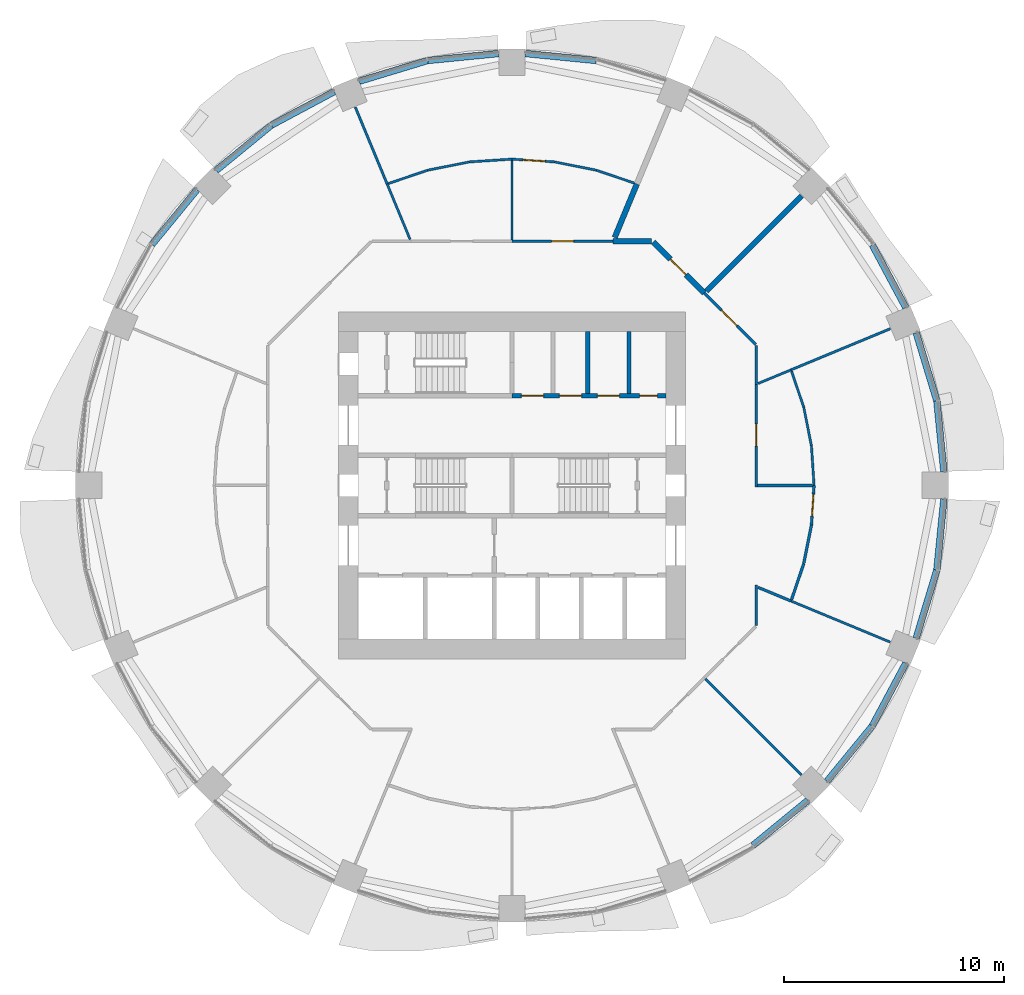
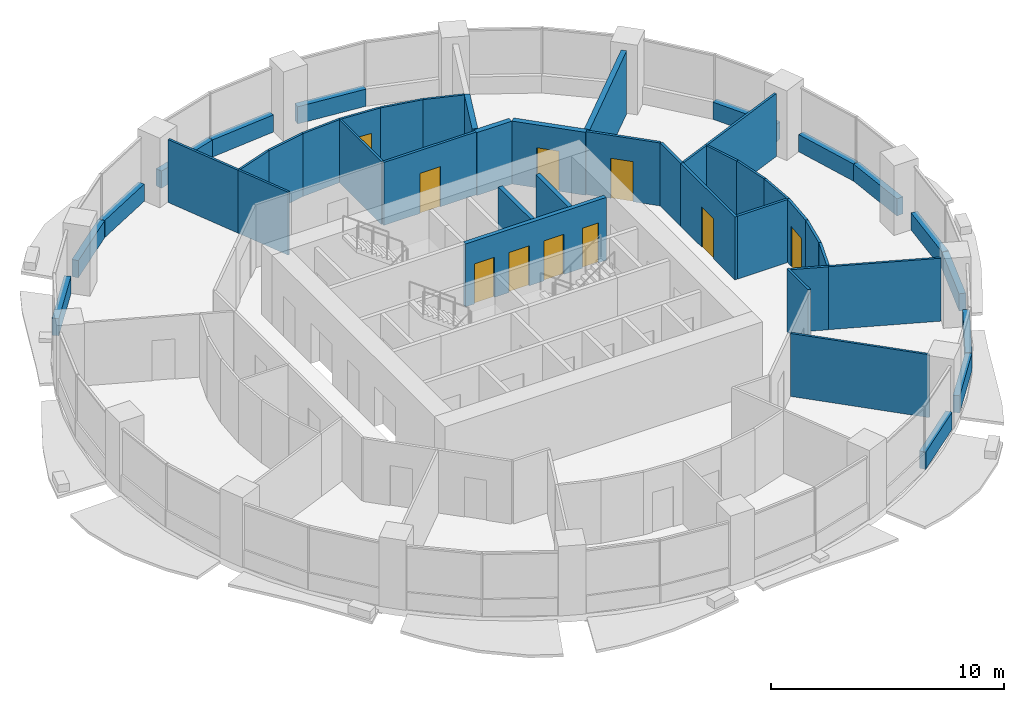
# One storey, part 10 of 15: 47 walls, 10 doors, 10 openings.
"""IFC4 building model written with IfcOpenShell, lengths in metres."""

import ifcopenshell
import ifcopenshell.guid

model = None  # the IFC model being written
_history = None  # IfcOwnerHistory: only IFC2X3 demands one
_inside = {}  # id of a spatial element -> (the spatial element, [elements in it])
_under = {}  # id of a project, library or spatial element -> (it, [spatial elements below it])
_declared = {}  # id of a project -> (the project, [libraries it declares])
_typed = {}  # id of a type object -> (the type object, [elements of that type])
_made_of = {}  # id of a material, layer set ... -> (it, [elements and type objects made of it])


def new_model(schema):
    """Start an empty IFC model of exactly this schema.

    Asked for "IFC4X3", IfcOpenShell would pick the latest addendum, in which some entities
    have other attributes; the version numbers below select the first issue.
    IFC2X3 requires an IfcOwnerHistory on every rooted entity: one is made here for all.
    """
    global model, _history
    if schema == "IFC4X3":
        model = ifcopenshell.file(schema_version=(4, 3, 0, 0))
    else:
        model = ifcopenshell.file(schema=schema)
    _inside.clear()
    _under.clear()
    _declared.clear()
    _typed.clear()
    _made_of.clear()
    _history = None
    if model.schema == "IFC2X3":
        org = make("IfcOrganization", Name="unknown")
        user = make(
            "IfcPersonAndOrganization",
            ThePerson=make("IfcPerson", FamilyName="unknown"),
            TheOrganization=org,
        )
        app = make(
            "IfcApplication",
            ApplicationDeveloper=org,
            Version="unknown",
            ApplicationFullName="unknown",
            ApplicationIdentifier="unknown",
        )
        _history = make(
            "IfcOwnerHistory",
            OwningUser=user,
            OwningApplication=app,
            ChangeAction="ADDED",
            CreationDate=0,
        )
    return model


def make(cls, **values):
    """One entity of the class cls with the attributes given. An attribute that is None is left unset."""
    return model.create_entity(
        cls, **{name: value for name, value in values.items() if value is not None}
    )


def rooted(cls, **values):
    """An entity with a GlobalId (a new one), such as an element, a storey or a relation."""
    return make(cls, GlobalId=ifcopenshell.guid.new(), OwnerHistory=_history, **values)


def si_unit(unit_type, name, prefix=None):
    """IfcSIUnit, for example si_unit("LENGTHUNIT", "METRE", prefix="MILLI")."""
    return make("IfcSIUnit", UnitType=unit_type, Prefix=prefix, Name=name)


def assignment(units):
    """IfcUnitAssignment: the units of a project."""
    return None if units is None else make("IfcUnitAssignment", Units=units)


def point(xyz):
    """IfcCartesianPoint."""
    return None if xyz is None else make("IfcCartesianPoint", Coordinates=xyz)


def direction(xyz):
    """IfcDirection."""
    return None if xyz is None else make("IfcDirection", DirectionRatios=xyz)


def frame(location, z_axis=None, x_axis=None):
    """IfcAxis2Placement3D, a coordinate frame: its origin and axes. An axis left out is left unset."""
    return make(
        "IfcAxis2Placement3D",
        Location=point(location),
        Axis=direction(z_axis),
        RefDirection=direction(x_axis),
    )


def frame_2d(location, x_axis=None):
    """IfcAxis2Placement2D, a coordinate frame in the plane: its origin and x axis."""
    return make(
        "IfcAxis2Placement2D", Location=point(location), RefDirection=direction(x_axis)
    )


def origin():
    """The frame at (0, 0, 0) with its axes left unset."""
    return frame((0.0, 0.0, 0.0))


def place(relative_to, where):
    """IfcLocalPlacement: puts the frame where relative to a parent placement (None: the world)."""
    return make(
        "IfcLocalPlacement", PlacementRelTo=relative_to, RelativePlacement=where
    )


def context(
    kind, dimensions, precision=None, world=None, true_north=None, identifier=None
):
    """IfcGeometricRepresentationContext, for example the 3D "Model" context."""
    return make(
        "IfcGeometricRepresentationContext",
        ContextIdentifier=identifier,
        ContextType=kind,
        CoordinateSpaceDimension=dimensions,
        Precision=precision,
        WorldCoordinateSystem=world,
        TrueNorth=true_north,
    )


def subcontext(parent, identifier, kind, view, scale=None):
    """IfcGeometricRepresentationSubContext, for example "Body" below "Model"."""
    return make(
        "IfcGeometricRepresentationSubContext",
        ContextIdentifier=identifier,
        ContextType=kind,
        ParentContext=parent,
        TargetScale=scale,
        TargetView=view,
    )


def project(units=None, contexts=None):
    """IfcProject with its units and contexts."""
    return rooted(
        "IfcProject",
        Name="project",
        RepresentationContexts=contexts,
        UnitsInContext=assignment(units),
    )


def spatial(cls, under=None, at=None, **own):
    """A site, building, storey or space (cls), placed at a placement, below another one or the project."""
    s = rooted(cls, ObjectPlacement=at, **own)
    if under is not None:
        _under.setdefault(under.id(), (under, []))[1].append(s)
    return s


def profile(cls, at=None, kind="AREA", **sizes):
    """A parametric profile (cls). Its sizes go by their IFC names, for example OverallWidth=200.0."""
    return make(cls, ProfileType=kind, Position=at, **sizes)


def rectangle(**sizes):
    """IfcRectangleProfileDef."""
    return profile("IfcRectangleProfileDef", **sizes)


def extrude(swept, where, along, depth):
    """IfcExtrudedAreaSolid: the profile swept, set in the frame where, extruded along a direction by depth."""
    return make(
        "IfcExtrudedAreaSolid",
        SweptArea=swept,
        Position=where,
        ExtrudedDirection=direction(along),
        Depth=depth,
    )


def shape(context_of_items, identifier, shape_type, items):
    """IfcShapeRepresentation: the items that make up one representation, for example the "Body"."""
    return make(
        "IfcShapeRepresentation",
        ContextOfItems=context_of_items,
        RepresentationIdentifier=identifier,
        RepresentationType=shape_type,
        Items=items,
    )


def material(Name=None, Category=None):
    """IfcMaterial."""
    return make("IfcMaterial", Name=Name, Category=Category)


def layer(
    of_material, thickness, ventilated=None, Name=None, Category=None, Priority=None
):
    """IfcMaterialLayer: one layer of a wall or slab, of a material (None: an air gap)."""
    return make(
        "IfcMaterialLayer",
        Material=of_material,
        LayerThickness=thickness,
        IsVentilated=ventilated,
        Name=Name,
        Category=Category,
        Priority=Priority,
    )


def layer_set(layers, Name=None):
    """IfcMaterialLayerSet."""
    return make("IfcMaterialLayerSet", MaterialLayers=layers, LayerSetName=Name)


def made_of(thing, what):
    """Note that an element or type object is made of a material, layer set ...; save() writes the relation."""
    if what is not None:
        _made_of.setdefault(what.id(), (what, []))[1].append(thing)
    return thing


def type_object(cls, material=None, **own):
    """A type object (cls), such as IfcWallType, which elements share."""
    return made_of(rooted(cls, **own), material)


def element(
    cls,
    number,
    at=None,
    inside=None,
    cuts=None,
    type_object=None,
    material=None,
    context=None,
    identifier="Body",
    shape_type=None,
    held_by="IfcProductDefinitionShape",
    body=None,
    shapes=None,
    **own,
):
    """One element of the class cls, such as IfcWall. Its Tag is "e" and its number.

    at: its placement. inside: the storey or other place that contains it. cuts: it is an
    opening in that element (IfcRelVoidsElement). A single representation is given by context,
    identifier, shape_type and body (its items); several are given by shapes. held_by: the class
    of the entity that holds the representations. save() writes the other relations.
    """
    e = rooted(cls, Tag="e%d" % number, ObjectPlacement=at, **own)
    if body is not None:
        shapes = [shape(context, identifier, shape_type, body)]
    if shapes is not None:
        e.Representation = make(held_by, Representations=shapes)
    if inside is not None:
        _inside.setdefault(inside.id(), (inside, []))[1].append(e)
    if cuts is not None:
        rooted(
            "IfcRelVoidsElement", RelatingBuildingElement=cuts, RelatedOpeningElement=e
        )
    if type_object is not None:
        _typed.setdefault(type_object.id(), (type_object, []))[1].append(e)
    return made_of(e, material)


def fill(opening, filler):
    """IfcRelFillsElement: the door or window that sits in an opening."""
    return rooted(
        "IfcRelFillsElement",
        RelatingOpeningElement=opening,
        RelatedBuildingElement=filler,
    )


def aggregate(whole, parts):
    """IfcRelAggregates: a whole, such as a stair, and the parts it consists of."""
    return rooted("IfcRelAggregates", RelatingObject=whole, RelatedObjects=parts)


def save(model, path):
    """Write the relations noted so far, then the file.

    IfcRelAggregates (storeys below a building ...), IfcRelContainedInSpatialStructure (elements
    in a storey), IfcRelDefinesByType, IfcRelAssociatesMaterial and IfcRelDeclares: one each for
    every whole, place, type object, material and project.
    """
    for whole, parts in _under.values():
        aggregate(whole, parts)
    for where, things in _inside.values():
        rooted(
            "IfcRelContainedInSpatialStructure",
            RelatedElements=things,
            RelatingStructure=where,
        )
    for kind, things in _typed.values():
        rooted("IfcRelDefinesByType", RelatedObjects=things, RelatingType=kind)
    for what, things in _made_of.values():
        rooted("IfcRelAssociatesMaterial", RelatedObjects=things, RelatingMaterial=what)
    for by, libraries in _declared.values():
        rooted("IfcRelDeclares", RelatingContext=by, RelatedDefinitions=libraries)
    model.write(path)


model = new_model("IFC4")

# Units and contexts
model_context = context("Model", 3, precision=1e-05, world=origin(), true_north=direction((0.0, 1.0)))
body_context = subcontext(model_context, "Body", "Model", "MODEL_VIEW")
ifc_project = project(units=[si_unit("LENGTHUNIT", "METRE"), si_unit("AREAUNIT", "SQUARE_METRE"), si_unit("VOLUMEUNIT", "CUBIC_METRE"), si_unit("PLANEANGLEUNIT", "RADIAN"), si_unit("MASSUNIT", "GRAM", prefix="KILO")], contexts=[model_context])

# Site, building, storey
site_placement = place(None, origin())
site = spatial("IfcSite", under=ifc_project, at=site_placement, CompositionType="ELEMENT")
building_placement = place(site_placement, origin())
building = spatial("IfcBuilding", under=site, at=building_placement, Name="Polderwave Tower", CompositionType="ELEMENT")
storey_placement = place(building_placement, frame((0.0, 0.0, 26.199951171875)))
storey = spatial("IfcBuildingStorey", under=building, at=storey_placement, Name="L06", CompositionType="ELEMENT", Elevation=26.199951171875)

# Walls
ifc_material_1 = material(Name="Concrete C50/60 (board-marked)", Category="concrete")
ifc_layer_1 = layer(ifc_material_1, 0.300048828125)
ifc_layer_set_1 = layer_set([ifc_layer_1], Name="Concrete spandrel upstand C50/60")
wall_type_1 = type_object("IfcWallType", Name="Concrete spandrel upstand C50/60", PredefinedType="SOLIDWALL", material=ifc_layer_set_1)
for number, where, z_axis, x_axis, name in (
    (1, (19.589599609375, 0.61279296875, 0.0), (0.0, 0.0, 1.0), (-0.09816025243, 0.995170620971, 0.0), "Spandrel L06 1a"),
    (2, (19.267578125, 3.847412109375, 0.0), (0.0, 0.0, 1.0), (-0.290301899131, 0.956935111364, 0.0), "Spandrel L06 1b"),
):
    element("IfcWall", number, at=place(storey_placement, frame(where, z_axis=z_axis, x_axis=x_axis)), inside=storey, type_object=wall_type_1, Name=name, PredefinedType="SOLIDWALL", context=body_context, shape_type="SweptSolid", body=[
        extrude(rectangle(XDim=3.220947265625, YDim=0.300048828125, at=frame_2d((1.6103515625, 0.0))), origin(), (0.0, 0.0, 1.0), 0.900146484375),
    ])
wall_1_placement = place(storey_placement, frame((17.86279296875, 8.063232421875, 0.0), z_axis=(0.0, 0.0, 1.0), x_axis=(-0.471217656413, 0.882016961449, 0.0)))
element("IfcWall", 3, at=wall_1_placement, inside=storey, type_object=wall_type_1, Name="Spandrel L06 2a", PredefinedType="SOLIDWALL", context=body_context, shape_type="SweptSolid", body=[
    extrude(rectangle(XDim=3.220458984375, YDim=0.300048828125, at=frame_2d((1.6103515625, 0.0))), origin(), (0.0, 0.0, 1.0), 0.900146484375),
])
for number, where, z_axis, x_axis, name in (
    (4, (3.818115234375, 19.2734375, 0.0), (0.0, 0.0, 1.0), (-0.995170620971, 0.09816025243, 0.0), "Spandrel L06 4b"),
    (5, (-0.61279296875, 19.589599609375, 0.0), (0.0, 0.0, 1.0), (-0.995170620971, -0.09816025243, 0.0), "Spandrel L06 5a"),
    (6, (-3.847412109375, 19.267578125, 0.0), (0.0, 0.0, 1.0), (-0.956935111364, -0.290301899131, 0.0), "Spandrel L06 5b"),
):
    element("IfcWall", number, at=place(storey_placement, frame(where, z_axis=z_axis, x_axis=x_axis)), inside=storey, type_object=wall_type_1, Name=name, PredefinedType="SOLIDWALL", context=body_context, shape_type="SweptSolid", body=[
        extrude(rectangle(XDim=3.220947265625, YDim=0.300048828125, at=frame_2d((1.6103515625, 0.0))), origin(), (0.0, 0.0, 1.0), 0.900146484375),
    ])
wall_2_placement = place(storey_placement, frame((-8.063232421875, 17.86279296875, 0.0), z_axis=(0.0, 0.0, 1.0), x_axis=(-0.882016961449, -0.471217656413, 0.0)))
element("IfcWall", 7, at=wall_2_placement, inside=storey, type_object=wall_type_1, Name="Spandrel L06 6a", PredefinedType="SOLIDWALL", context=body_context, shape_type="SweptSolid", body=[
    extrude(rectangle(XDim=3.220458984375, YDim=0.300048828125, at=frame_2d((1.6103515625, 0.0))), origin(), (0.0, 0.0, 1.0), 0.900146484375),
])
for number, where, z_axis, x_axis, name in (
    (8, (-10.9287109375, 16.32861328125, 0.0), (0.0, 0.0, 1.0), (-0.773020947345, -0.634380496993, 0.0), "Spandrel L06 6b"),
    (9, (-14.285400390625, 13.41845703125, 0.0), (0.0, 0.0, 1.0), (-0.634380496993, -0.773020947345, 0.0), "Spandrel L06 7a"),
    (10, (10.9287109375, -16.32861328125, 0.0), (0.0, 0.0, 1.0), (0.773020947345, 0.634380496993, 0.0), "Spandrel L06 14b"),
    (11, (14.285400390625, -13.41845703125, 0.0), (0.0, 0.0, 1.0), (0.634380496993, 0.773020947345, 0.0), "Spandrel L06 15a"),
):
    element("IfcWall", number, at=place(storey_placement, frame(where, z_axis=z_axis, x_axis=x_axis)), inside=storey, type_object=wall_type_1, Name=name, PredefinedType="SOLIDWALL", context=body_context, shape_type="SweptSolid", body=[
        extrude(rectangle(XDim=3.220703125, YDim=0.300048828125, at=frame_2d((1.6103515625, 0.0))), origin(), (0.0, 0.0, 1.0), 0.900146484375),
    ])
wall_3_placement = place(storey_placement, frame((16.34521484375, -10.90380859375, 0.0), z_axis=(0.0, 0.0, 1.0), x_axis=(0.471217656413, 0.882016961449, 0.0)))
element("IfcWall", 12, at=wall_3_placement, inside=storey, type_object=wall_type_1, Name="Spandrel L06 15b", PredefinedType="SOLIDWALL", context=body_context, shape_type="SweptSolid", body=[
    extrude(rectangle(XDim=3.220458984375, YDim=0.300048828125, at=frame_2d((1.6103515625, 0.0))), origin(), (0.0, 0.0, 1.0), 0.900146484375),
])
for number, where, z_axis, x_axis, name in (
    (13, (18.33251953125, -6.9296875, 0.0), (0.0, 0.0, 1.0), (0.290301899131, 0.956935111364, 0.0), "Spandrel L06 16a"),
    (14, (19.2734375, -3.818115234375, 0.0), (0.0, 0.0, 1.0), (0.09816025243, 0.995170620971, 0.0), "Spandrel L06 16b"),
):
    element("IfcWall", number, at=place(storey_placement, frame(where, z_axis=z_axis, x_axis=x_axis)), inside=storey, type_object=wall_type_1, Name=name, PredefinedType="SOLIDWALL", context=body_context, shape_type="SweptSolid", body=[
        extrude(rectangle(XDim=3.220947265625, YDim=0.300048828125, at=frame_2d((1.6103515625, 0.0))), origin(), (0.0, 0.0, 1.0), 0.900146484375),
    ])
ifc_material_2 = material(Name="Gypsum board partition")
ifc_layer_2 = layer(ifc_material_2, 0.199951171875)
ifc_layer_set_2 = layer_set([ifc_layer_2], Name="Core room partition 200")
wall_type_2 = type_object("IfcWallType", Name="Core room partition 200", PredefinedType="PARTITIONING", material=ifc_layer_set_2)
wall_4_placement = place(storey_placement, frame((3.444580078125, 4.174072265625, 0.0), z_axis=(0.0, 0.0, 1.0), x_axis=(0.0, 1.0, 0.0)))
element("IfcWall", 15, at=wall_4_placement, inside=storey, type_object=wall_type_2, Name="L06 room partition N2", PredefinedType="PARTITIONING", context=body_context, shape_type="SweptSolid", body=[
    extrude(rectangle(XDim=2.800048828125, YDim=0.199951171875, at=frame_2d((1.39990234375, 0.0))), origin(), (0.0, 0.0, 1.0), 3.300048828125),
])

# Wall, openings, doors
ifc_material_3 = material(Name="Concrete C50/60", Category="concrete")
ifc_layer_3 = layer(ifc_material_3, 0.199951171875)
ifc_layer_set_3 = layer_set([ifc_layer_3], Name="Core web wall 200")
wall_type_3 = type_object("IfcWallType", Name="Core web wall 200", PredefinedType="SHEAR", material=ifc_layer_set_3)
wall_5_placement = place(storey_placement, frame((0.0, 4.073974609375, 0.0), z_axis=(0.0, 0.0, 1.0), x_axis=(1.0, 0.0, 0.0)))
wall_5 = element("IfcWall", 16, at=wall_5_placement, inside=storey, type_object=wall_type_3, Name="L06 north front wall 2", PredefinedType="SHEAR", context=body_context, shape_type="SweptSolid", body=[
    extrude(rectangle(XDim=6.97412109375, YDim=0.199951171875, at=frame_2d((3.487060546875, 0.0))), origin(), (0.0, 0.0, 1.0), 3.300048828125),
])
opening_1_placement = place(wall_5_placement, frame((0.430419921875, 0.0, 0.0)))
opening_1 = element("IfcOpeningElement", 17, at=opening_1_placement, cuts=wall_5, Name="Opening L06-D14", PredefinedType="OPENING", context=body_context, shape_type="SweptSolid", body=[
    extrude(rectangle(XDim=1.0, YDim=2.10009765625, at=frame_2d((0.5, 1.050048828125))), frame((0.0, 0.10986328125, 0.0), z_axis=(0.0, -1.0, 0.0), x_axis=(1.0, 0.0, 0.0)), (0.0, 0.0, 1.0), 0.219970703125),
])
opening_2_placement = place(wall_5_placement, frame((2.152587890625, 0.0, 0.0)))
opening_2 = element("IfcOpeningElement", 18, at=opening_2_placement, cuts=wall_5, Name="Opening L06-D15", PredefinedType="OPENING", context=body_context, shape_type="SweptSolid", body=[
    extrude(rectangle(XDim=1.0, YDim=2.10009765625, at=frame_2d((0.5, 1.050048828125))), frame((0.0, 0.10986328125, 0.0), z_axis=(0.0, -1.0, 0.0), x_axis=(1.0, 0.0, 0.0)), (0.0, 0.0, 1.0), 0.219970703125),
])
opening_3_placement = place(wall_5_placement, frame((3.875, 0.0, 0.0)))
opening_3 = element("IfcOpeningElement", 19, at=opening_3_placement, cuts=wall_5, Name="Opening L06-D16", PredefinedType="OPENING", context=body_context, shape_type="SweptSolid", body=[
    extrude(rectangle(XDim=1.0, YDim=2.10009765625, at=frame_2d((0.5, 1.050048828125))), frame((0.0, 0.10986328125, 0.0), z_axis=(0.0, -1.0, 0.0), x_axis=(1.0, 0.0, 0.0)), (0.0, 0.0, 1.0), 0.219970703125),
])
opening_4_placement = place(wall_5_placement, frame((5.789794921875, 0.0, 0.0)))
opening_4 = element("IfcOpeningElement", 20, at=opening_4_placement, cuts=wall_5, Name="Opening L06-D17", PredefinedType="OPENING", context=body_context, shape_type="SweptSolid", body=[
    extrude(rectangle(XDim=0.800048828125, YDim=2.10009765625, at=frame_2d((0.39990234375, 1.050048828125))), frame((0.0, 0.10986328125, 0.0), z_axis=(0.0, -1.0, 0.0), x_axis=(1.0, 0.0, 0.0)), (0.0, 0.0, 1.0), 0.219970703125),
])
ifc_material_4 = material(Name="Timber door leaf", Category="wood")
door_type_1 = type_object("IfcDoorType", Name="Accessible WC door 1000", OperationType="NOTDEFINED", PredefinedType="DOOR", material=ifc_material_4)
door_1_placement = place(opening_1_placement, origin())
door_1 = element("IfcDoor", 21, at=door_1_placement, inside=storey, type_object=door_type_1, Name="Accessible WC door", OperationType="SINGLE_SWING_LEFT", OverallHeight=2.10009765625, OverallWidth=1.0, PredefinedType="DOOR", context=body_context, shape_type="SweptSolid", body=[
    extrude(rectangle(XDim=1.0, YDim=2.10009765625, at=frame_2d((0.5, 1.050048828125))), frame((0.0, 0.02490234375, 0.0), z_axis=(0.0, -1.0, 0.0), x_axis=(1.0, 0.0, 0.0)), (0.0, 0.0, 1.0), 0.050048828125),
])
fill(opening_1, door_1)
ifc_material_5 = material(Name="Steel fire door", Category="steel")
door_type_2 = type_object("IfcDoorType", Name="Riser door 800", OperationType="NOTDEFINED", PredefinedType="DOOR", material=ifc_material_5)
door_2_placement = place(opening_4_placement, frame((0.800048828125, 0.0, 0.0), z_axis=(0.0, 0.0, 1.0), x_axis=(-1.0, 0.0, 0.0)))
door_2 = element("IfcDoor", 22, at=door_2_placement, inside=storey, type_object=door_type_2, Name="Riser door", OperationType="SINGLE_SWING_LEFT", OverallHeight=2.10009765625, OverallWidth=0.800048828125, PredefinedType="DOOR", context=body_context, shape_type="SweptSolid", body=[
    extrude(rectangle(XDim=0.800048828125, YDim=2.10009765625, at=frame_2d((0.39990234375, 1.050048828125))), frame((0.0, 0.02490234375, 0.0), z_axis=(0.0, -1.0, 0.0), x_axis=(1.0, 0.0, 0.0)), (0.0, 0.0, 1.0), 0.050048828125),
])
fill(opening_4, door_2)
door_type_3 = type_object("IfcDoorType", Name="Room door 1000", OperationType="NOTDEFINED", PredefinedType="DOOR", material=ifc_material_4)
door_3_placement = place(opening_2_placement, frame((1.0, 0.0, 0.0), z_axis=(0.0, 0.0, 1.0), x_axis=(-1.0, 0.0, 0.0)))
door_3 = element("IfcDoor", 23, at=door_3_placement, inside=storey, type_object=door_type_3, Name="Pump room door", OperationType="SINGLE_SWING_RIGHT", OverallHeight=2.10009765625, OverallWidth=1.0, PredefinedType="DOOR", context=body_context, shape_type="SweptSolid", body=[
    extrude(rectangle(XDim=1.0, YDim=2.10009765625, at=frame_2d((0.5, 1.050048828125))), frame((0.0, 0.02490234375, 0.0), z_axis=(0.0, -1.0, 0.0), x_axis=(1.0, 0.0, 0.0)), (0.0, 0.0, 1.0), 0.050048828125),
])
fill(opening_2, door_3)
door_4_placement = place(opening_3_placement, origin())
door_4 = element("IfcDoor", 24, at=door_4_placement, inside=storey, type_object=door_type_3, Name="Cleaner's store door", OperationType="SINGLE_SWING_RIGHT", OverallHeight=2.10009765625, OverallWidth=1.0, PredefinedType="DOOR", context=body_context, shape_type="SweptSolid", body=[
    extrude(rectangle(XDim=1.0, YDim=2.10009765625, at=frame_2d((0.5, 1.050048828125))), frame((0.0, 0.02490234375, 0.0), z_axis=(0.0, -1.0, 0.0), x_axis=(1.0, 0.0, 0.0)), (0.0, 0.0, 1.0), 0.050048828125),
])
fill(opening_3, door_4)

# Wall, opening, door
ifc_material_6 = material(Name="Fire-resisting board on steel studs", Category="steel")
ifc_layer_4 = layer(ifc_material_6, 0.125)
ifc_layer_set_4 = layer_set([ifc_layer_4], Name="Corridor wall 125 mm EI 60")
wall_type_4 = type_object("IfcWallType", Name="Corridor wall 125 mm EI 60", PredefinedType="PARTITIONING", material=ifc_layer_set_4)
wall_6_placement = place(storey_placement, frame((11.073974609375, 4.5869140625, 0.0), z_axis=(0.0, 0.0, 1.0), x_axis=(0.0, -1.0, 0.0)))
wall_6 = element("IfcWall", 25, at=wall_6_placement, inside=storey, type_object=wall_type_4, Name="IN-L06-W001", PredefinedType="PARTITIONING", context=body_context, shape_type="SweptSolid", body=[
    extrude(rectangle(XDim=4.6494140625, YDim=0.125, at=frame_2d((2.32470703125, 0.0))), origin(), (0.0, 0.0, 1.0), 3.300048828125),
])
opening_5_placement = place(wall_6_placement, frame((1.800048828125, 0.0, 0.0)))
opening_5 = element("IfcOpeningElement", 26, at=opening_5_placement, cuts=wall_6, Name="Opening L06-D50", PredefinedType="OPENING", context=body_context, shape_type="SweptSolid", body=[
    extrude(rectangle(XDim=1.0, YDim=2.10009765625, at=frame_2d((0.5, 1.050048828125))), frame((0.0, 0.072509765625, 0.0), z_axis=(0.0, -1.0, 0.0), x_axis=(1.0, 0.0, 0.0)), (0.0, 0.0, 1.0), 0.14501953125),
])
ifc_material_7 = material(Name="Timber fire door leaf", Category="wood")
door_type_4 = type_object("IfcDoorType", Name="Fire door FD30S 1000 x 2100", OperationType="NOTDEFINED", PredefinedType="DOOR", material=ifc_material_7)
door_5_placement = place(opening_5_placement, origin())
door_5 = element("IfcDoor", 27, at=door_5_placement, inside=storey, type_object=door_type_4, Name="Door L06-D50", OperationType="SINGLE_SWING_LEFT", OverallHeight=2.10009765625, OverallWidth=1.0, PredefinedType="DOOR", context=body_context, shape_type="SweptSolid", body=[
    extrude(rectangle(XDim=1.0, YDim=2.10009765625, at=frame_2d((0.5, 1.050048828125))), frame((0.0, 0.02490234375, 0.0), z_axis=(0.0, -1.0, 0.0), x_axis=(1.0, 0.0, 0.0)), (0.0, 0.0, 1.0), 0.050048828125),
])
fill(opening_5, door_5)

wall_7_placement = place(storey_placement, frame((8.722412109375, 8.722412109375, 0.0), z_axis=(0.0, 0.0, 1.0), x_axis=(0.707143776336, -0.707069784102, 0.0)))
wall_7 = element("IfcWall", 28, at=wall_7_placement, inside=storey, type_object=wall_type_4, Name="IN-L06-W002", PredefinedType="PARTITIONING", context=body_context, shape_type="SweptSolid", body=[
    extrude(rectangle(XDim=3.299560546875, YDim=0.125, at=frame_2d((1.64990234375, 0.0))), origin(), (0.0, 0.0, 1.0), 3.300048828125),
])
opening_6_placement = place(wall_7_placement, frame((1.10009765625, 0.0, 0.0)))
opening_6 = element("IfcOpeningElement", 29, at=opening_6_placement, cuts=wall_7, Name="Opening L06-D51", PredefinedType="OPENING", context=body_context, shape_type="SweptSolid", body=[
    extrude(rectangle(XDim=1.0, YDim=2.10009765625, at=frame_2d((0.5, 1.050048828125))), frame((0.0, 0.072509765625, 0.0), z_axis=(0.0, -1.0, 0.0), x_axis=(1.0, 0.0, 0.0)), (0.0, 0.0, 1.0), 0.14501953125),
])
door_6_placement = place(opening_6_placement, origin())
door_6 = element("IfcDoor", 30, at=door_6_placement, inside=storey, type_object=door_type_4, Name="Door L06-D51", OperationType="SINGLE_SWING_LEFT", OverallHeight=2.10009765625, OverallWidth=1.0, PredefinedType="DOOR", context=body_context, shape_type="SweptSolid", body=[
    extrude(rectangle(XDim=1.0, YDim=2.10009765625, at=frame_2d((0.5, 1.050048828125))), frame((0.0, 0.02490234375, 0.0), z_axis=(0.0, -1.0, 0.0), x_axis=(1.0, 0.0, 0.0)), (0.0, 0.0, 1.0), 0.050048828125),
])
fill(opening_6, door_6)

# Walls
wall_8_placement = place(storey_placement, frame((11.073974609375, 6.34521484375, 0.0), z_axis=(0.0, 0.0, 1.0), x_axis=(0.0, -1.0, 0.0)))
element("IfcWall", 31, at=wall_8_placement, inside=storey, type_object=wall_type_4, Name="IN-L06-W003", PredefinedType="PARTITIONING", context=body_context, shape_type="SweptSolid", body=[
    extrude(rectangle(XDim=1.75830078125, YDim=0.125, at=frame_2d((0.879150390625, 0.0))), origin(), (0.0, 0.0, 1.0), 3.300048828125),
])
wall_9_placement = place(storey_placement, frame((11.073974609375, -4.5244140625, 0.0), z_axis=(0.0, 0.0, 1.0), x_axis=(0.0, -1.0, 0.0)))
element("IfcWall", 32, at=wall_9_placement, inside=storey, type_object=wall_type_4, Name="IN-L06-W005", PredefinedType="PARTITIONING", context=body_context, shape_type="SweptSolid", body=[
    extrude(rectangle(XDim=1.82080078125, YDim=0.125, at=frame_2d((0.910400390625, 0.0))), origin(), (0.0, 0.0, 1.0), 3.300048828125),
])

# Wall, opening, door
wall_10_placement = place(storey_placement, frame((0.0, 11.073974609375, 0.0), z_axis=(0.0, 0.0, 1.0), x_axis=(1.0, 0.0, 0.0)))
wall_10 = element("IfcWall", 33, at=wall_10_placement, inside=storey, type_object=wall_type_4, Name="IN-L06-W008", PredefinedType="PARTITIONING", context=body_context, shape_type="SweptSolid", body=[
    extrude(rectangle(XDim=4.5869140625, YDim=0.125, at=frame_2d((2.29345703125, 0.0))), origin(), (0.0, 0.0, 1.0), 3.300048828125),
])
opening_7_placement = place(wall_10_placement, frame((1.800048828125, 0.0, 0.0)))
opening_7 = element("IfcOpeningElement", 34, at=opening_7_placement, cuts=wall_10, Name="Opening L06-D54", PredefinedType="OPENING", context=body_context, shape_type="SweptSolid", body=[
    extrude(rectangle(XDim=1.0, YDim=2.10009765625, at=frame_2d((0.5, 1.050048828125))), frame((0.0, 0.072509765625, 0.0), z_axis=(0.0, -1.0, 0.0), x_axis=(1.0, 0.0, 0.0)), (0.0, 0.0, 1.0), 0.14501953125),
])
door_7_placement = place(opening_7_placement, origin())
door_7 = element("IfcDoor", 35, at=door_7_placement, inside=storey, type_object=door_type_4, Name="Door L06-D54", OperationType="SINGLE_SWING_RIGHT", OverallHeight=2.10009765625, OverallWidth=1.0, PredefinedType="DOOR", context=body_context, shape_type="SweptSolid", body=[
    extrude(rectangle(XDim=1.0, YDim=2.10009765625, at=frame_2d((0.5, 1.050048828125))), frame((0.0, 0.02490234375, 0.0), z_axis=(0.0, -1.0, 0.0), x_axis=(1.0, 0.0, 0.0)), (0.0, 0.0, 1.0), 0.050048828125),
])
fill(opening_7, door_7)

# Walls
wall_11_placement = place(storey_placement, frame((12.6787109375, -5.1796875, 0.0), z_axis=(0.0, 0.0, 1.0), x_axis=(0.321414456213, 0.946938618569, 0.0)))
element("IfcWall", 36, at=wall_11_placement, inside=storey, type_object=wall_type_4, Name="IN-L06-W027", PredefinedType="PARTITIONING", context=body_context, shape_type="SweptSolid", body=[
    extrude(rectangle(XDim=1.72119140625, YDim=0.125, at=frame_2d((0.860595703125, 0.0))), origin(), (0.0, 0.0, 1.0), 3.300048828125),
])
wall_12_placement = place(storey_placement, frame((13.23388671875, -3.541748046875, 0.0), z_axis=(0.0, 0.0, 1.0), x_axis=(0.19516852136, 0.980769722346, 0.0)))
element("IfcWall", 37, at=wall_12_placement, inside=storey, type_object=wall_type_4, Name="IN-L06-W028", PredefinedType="PARTITIONING", context=body_context, shape_type="SweptSolid", body=[
    extrude(rectangle(XDim=1.783935546875, YDim=0.125, at=frame_2d((0.89208984375, 0.0))), origin(), (0.0, 0.0, 1.0), 3.300048828125),
])

# Wall, opening, door
wall_13_placement = place(storey_placement, frame((13.699951171875, 0.0, 0.0), z_axis=(0.0, 0.0, 1.0), x_axis=(-0.065404267719, -0.997858848617, 0.0)))
wall_13 = element("IfcWall", 38, at=wall_13_placement, inside=storey, type_object=wall_type_4, Name="IN-L06-W029", PredefinedType="PARTITIONING", context=body_context, shape_type="SweptSolid", body=[
    extrude(rectangle(XDim=1.7880859375, YDim=0.125, at=frame_2d((0.89404296875, 0.0))), origin(), (0.0, 0.0, 1.0), 3.300048828125),
])
opening_8_placement = place(wall_13_placement, frame((0.39990234375, 0.0, 0.0)))
opening_8 = element("IfcOpeningElement", 39, at=opening_8_placement, cuts=wall_13, Name="Opening L06-D62", PredefinedType="OPENING", context=body_context, shape_type="SweptSolid", body=[
    extrude(rectangle(XDim=1.0, YDim=2.10009765625, at=frame_2d((0.5, 1.050048828125))), frame((0.0, 0.072509765625, 0.0), z_axis=(0.0, -1.0, 0.0), x_axis=(1.0, 0.0, 0.0)), (0.0, 0.0, 1.0), 0.14501953125),
])
door_8_placement = place(opening_8_placement, origin())
door_8 = element("IfcDoor", 40, at=door_8_placement, inside=storey, type_object=door_type_4, Name="Door L06-D62", OperationType="SINGLE_SWING_RIGHT", OverallHeight=2.10009765625, OverallWidth=1.0, PredefinedType="DOOR", context=body_context, shape_type="SweptSolid", body=[
    extrude(rectangle(XDim=1.0, YDim=2.10009765625, at=frame_2d((0.5, 1.050048828125))), frame((0.0, 0.02490234375, 0.0), z_axis=(0.0, -1.0, 0.0), x_axis=(1.0, 0.0, 0.0)), (0.0, 0.0, 1.0), 0.050048828125),
])
fill(opening_8, door_8)

# Walls
wall_14_placement = place(storey_placement, frame((13.63330078125, 0.0, 0.0), z_axis=(0.0, 0.0, 1.0), x_axis=(-1.0, 0.0, 0.0)))
element("IfcWall", 41, at=wall_14_placement, inside=storey, type_object=wall_type_4, Name="IN-L06-W031", PredefinedType="PARTITIONING", context=body_context, shape_type="SweptSolid", body=[
    extrude(rectangle(XDim=2.496826171875, YDim=0.125, at=frame_2d((1.24853515625, 0.0))), origin(), (0.0, 0.0, 1.0), 3.300048828125),
])
wall_15_placement = place(storey_placement, frame((11.160400390625, -4.622802734375, 0.0), z_axis=(0.0, 0.0, 1.0), x_axis=(0.92383312361, -0.382795454155, 0.0)))
element("IfcWall", 42, at=wall_15_placement, inside=storey, type_object=wall_type_4, Name="IN-L06-W068", PredefinedType="PARTITIONING", context=body_context, shape_type="SweptSolid", body=[
    extrude(rectangle(XDim=1.619873046875, YDim=0.125, at=frame_2d((0.81005859375, 0.0))), origin(), (0.0, 0.0, 1.0), 3.300048828125),
])
ifc_material_8 = material(Name="Moisture-resistant board on steel studs, tiled", Category="steel")
ifc_layer_5 = layer(ifc_material_8, 0.10498046875)
ifc_layer_set_5 = layer_set([ifc_layer_5], Name="Partition 105 mm wet room board and tile")
wall_type_5 = type_object("IfcWallType", Name="Partition 105 mm wet room board and tile", PredefinedType="PARTITIONING", material=ifc_layer_set_5)
wall_16_placement = place(storey_placement, frame((13.232177734375, 3.549072265625, 0.0), z_axis=(0.0, 0.0, 1.0), x_axis=(-0.321556170711, 0.946890505327, 0.0)))
element("IfcWall", 43, at=wall_16_placement, inside=storey, type_object=wall_type_5, Name="IN-L06-W022", PredefinedType="PARTITIONING", context=body_context, shape_type="SweptSolid", body=[
    extrude(rectangle(XDim=1.730224609375, YDim=0.10498046875, at=frame_2d((0.865234375, 0.0))), origin(), (0.0, 0.0, 1.0), 3.300048828125),
])
wall_17_placement = place(storey_placement, frame((13.58203125, 1.79150390625, 0.0), z_axis=(0.0, 0.0, 1.0), x_axis=(-0.195011457743, 0.980800964186, 0.0)))
element("IfcWall", 44, at=wall_17_placement, inside=storey, type_object=wall_type_5, Name="IN-L06-W023", PredefinedType="PARTITIONING", context=body_context, shape_type="SweptSolid", body=[
    extrude(rectangle(XDim=1.78515625, YDim=0.10498046875, at=frame_2d((0.892578125, 0.0))), origin(), (0.0, 0.0, 1.0), 3.300048828125),
])
wall_18_placement = place(storey_placement, frame((13.699951171875, 0.0, 0.0), z_axis=(0.0, 0.0, 1.0), x_axis=(-0.065377544428, 0.997860599826, 0.0)))
element("IfcWall", 45, at=wall_18_placement, inside=storey, type_object=wall_type_5, Name="IN-L06-W024", PredefinedType="PARTITIONING", context=body_context, shape_type="SweptSolid", body=[
    extrude(rectangle(XDim=1.788818359375, YDim=0.10498046875, at=frame_2d((0.89453125, 0.0))), origin(), (0.0, 0.0, 1.0), 3.300048828125),
])
wall_19_placement = place(storey_placement, frame((17.156494140625, -7.1064453125, 0.0), z_axis=(0.0, 0.0, 1.0), x_axis=(-0.923896474602, 0.382642527978, 0.0)))
element("IfcWall", 46, at=wall_19_placement, inside=storey, type_object=wall_type_5, Name="IN-L06-W026", PredefinedType="PARTITIONING", context=body_context, shape_type="SweptSolid", body=[
    extrude(rectangle(XDim=4.8701171875, YDim=0.10498046875, at=frame_2d((2.43505859375, 0.0))), origin(), (0.0, 0.0, 1.0), 3.300048828125),
])
wall_20_placement = place(storey_placement, frame((11.156494140625, 4.62109375, 0.0), z_axis=(0.0, 0.0, 1.0), x_axis=(0.923813438205, 0.382842959178, 0.0)))
element("IfcWall", 47, at=wall_20_placement, inside=storey, type_object=wall_type_5, Name="IN-L06-W030", PredefinedType="PARTITIONING", context=body_context, shape_type="SweptSolid", body=[
    extrude(rectangle(XDim=1.624267578125, YDim=0.10498046875, at=frame_2d((0.81201171875, 0.0))), origin(), (0.0, 0.0, 1.0), 3.300048828125),
])

# Wall, opening, door
wall_21_placement = place(storey_placement, frame((0.0, 14.800048828125, 0.0), z_axis=(0.0, 0.0, 1.0), x_axis=(0.997856678607, -0.065437366694, 0.0)))
wall_21 = element("IfcWall", 48, at=wall_21_placement, inside=storey, type_object=wall_type_5, Name="IN-L06-W035", PredefinedType="PARTITIONING", context=body_context, shape_type="SweptSolid", body=[
    extrude(rectangle(XDim=1.9326171875, YDim=0.10498046875, at=frame_2d((0.96630859375, 0.0))), origin(), (0.0, 0.0, 1.0), 3.300048828125),
])
opening_9_placement = place(wall_21_placement, frame((0.5, 0.0, 0.0)))
opening_9 = element("IfcOpeningElement", 49, at=opening_9_placement, cuts=wall_21, Name="Opening L06-D63", PredefinedType="OPENING", context=body_context, shape_type="SweptSolid", body=[
    extrude(rectangle(XDim=1.0, YDim=2.10009765625, at=frame_2d((0.5, 1.050048828125))), frame((0.0, 0.0625, 0.0), z_axis=(0.0, -1.0, 0.0), x_axis=(1.0, 0.0, 0.0)), (0.0, 0.0, 1.0), 0.125),
])
ifc_material_9 = material(Name="Timber veneer door leaf", Category="wood")
door_type_5 = type_object("IfcDoorType", Name="Single door 1000 x 2100", OperationType="NOTDEFINED", PredefinedType="DOOR", material=ifc_material_9)
door_9_placement = place(opening_9_placement, origin())
door_9 = element("IfcDoor", 50, at=door_9_placement, inside=storey, type_object=door_type_5, Name="Door L06-D63", OperationType="SINGLE_SWING_RIGHT", OverallHeight=2.10009765625, OverallWidth=1.0, PredefinedType="DOOR", context=body_context, shape_type="SweptSolid", body=[
    extrude(rectangle(XDim=1.0, YDim=2.10009765625, at=frame_2d((0.5, 1.050048828125))), frame((0.0, 0.02490234375, 0.0), z_axis=(0.0, -1.0, 0.0), x_axis=(1.0, 0.0, 0.0)), (0.0, 0.0, 1.0), 0.050048828125),
])
fill(opening_9, door_9)

# Walls
wall_22_placement = place(storey_placement, frame((1.935302734375, 14.672607421875, 0.0), z_axis=(0.0, 0.0, 1.0), x_axis=(0.980794286951, -0.195045037578, 0.0)))
element("IfcWall", 51, at=wall_22_placement, inside=storey, type_object=wall_type_5, Name="IN-L06-W036", PredefinedType="PARTITIONING", context=body_context, shape_type="SweptSolid", body=[
    extrude(rectangle(XDim=1.928955078125, YDim=0.10498046875, at=frame_2d((0.96435546875, 0.0))), origin(), (0.0, 0.0, 1.0), 3.300048828125),
])
wall_23_placement = place(storey_placement, frame((3.833740234375, 14.294677734375, 0.0), z_axis=(0.0, 0.0, 1.0), x_axis=(0.946922795702, -0.321461069153, 0.0)))
element("IfcWall", 52, at=wall_23_placement, inside=storey, type_object=wall_type_5, Name="IN-L06-W037", PredefinedType="PARTITIONING", context=body_context, shape_type="SweptSolid", body=[
    extrude(rectangle(XDim=1.8037109375, YDim=0.10498046875, at=frame_2d((0.90185546875, 0.0))), origin(), (0.0, 0.0, 1.0), 3.300048828125),
])
wall_24_placement = place(storey_placement, frame((0.0, 11.136474609375, 0.0), z_axis=(0.0, 0.0, 1.0), x_axis=(0.0, 1.0, 0.0)))
element("IfcWall", 53, at=wall_24_placement, inside=storey, type_object=wall_type_5, Name="IN-L06-W038", PredefinedType="PARTITIONING", context=body_context, shape_type="SweptSolid", body=[
    extrude(rectangle(XDim=3.607421875, YDim=0.10498046875, at=frame_2d((1.8037109375, 0.0))), origin(), (0.0, 0.0, 1.0), 3.300048828125),
])
wall_25_placement = place(storey_placement, frame((-3.833740234375, 14.294677734375, 0.0), z_axis=(0.0, 0.0, 1.0), x_axis=(-0.946896557968, -0.321538346872, 0.0)))
element("IfcWall", 54, at=wall_25_placement, inside=storey, type_object=wall_type_5, Name="IN-L06-W039", PredefinedType="PARTITIONING", context=body_context, shape_type="SweptSolid", body=[
    extrude(rectangle(XDim=1.8740234375, YDim=0.10498046875, at=frame_2d((0.93701171875, 0.0))), origin(), (0.0, 0.0, 1.0), 3.300048828125),
])
wall_26_placement = place(storey_placement, frame((-1.935302734375, 14.672607421875, 0.0), z_axis=(0.0, 0.0, 1.0), x_axis=(-0.980794286951, -0.195045037578, 0.0)))
element("IfcWall", 55, at=wall_26_placement, inside=storey, type_object=wall_type_5, Name="IN-L06-W040", PredefinedType="PARTITIONING", context=body_context, shape_type="SweptSolid", body=[
    extrude(rectangle(XDim=1.928955078125, YDim=0.10498046875, at=frame_2d((0.96435546875, 0.0))), origin(), (0.0, 0.0, 1.0), 3.300048828125),
])
wall_27_placement = place(storey_placement, frame((0.0, 14.800048828125, 0.0), z_axis=(0.0, 0.0, 1.0), x_axis=(-0.997856678607, -0.065437366694, 0.0)))
element("IfcWall", 56, at=wall_27_placement, inside=storey, type_object=wall_type_5, Name="IN-L06-W041", PredefinedType="PARTITIONING", context=body_context, shape_type="SweptSolid", body=[
    extrude(rectangle(XDim=1.9326171875, YDim=0.10498046875, at=frame_2d((0.96630859375, 0.0))), origin(), (0.0, 0.0, 1.0), 3.300048828125),
])
wall_28_placement = place(storey_placement, frame((-4.62109375, 11.156494140625, 0.0), z_axis=(0.0, 0.0, 1.0), x_axis=(-0.382750161953, 0.923851889388, 0.0)))
element("IfcWall", 57, at=wall_28_placement, inside=storey, type_object=wall_type_5, Name="IN-L06-W043", PredefinedType="PARTITIONING", context=body_context, shape_type="SweptSolid", body=[
    extrude(rectangle(XDim=2.724365234375, YDim=0.10498046875, at=frame_2d((1.3623046875, 0.0))), origin(), (0.0, 0.0, 1.0), 3.300048828125),
])
wall_29_placement = place(storey_placement, frame((8.7666015625, -8.7666015625, 0.0), z_axis=(0.0, 0.0, 1.0), x_axis=(0.707106781187, -0.707106781187, 0.0)))
element("IfcWall", 58, at=wall_29_placement, inside=storey, type_object=wall_type_5, Name="IN-L06-W067", PredefinedType="PARTITIONING", context=body_context, shape_type="SweptSolid", body=[
    extrude(rectangle(XDim=6.17236328125, YDim=0.10498046875, at=frame_2d((3.086181640625, 0.0))), origin(), (0.0, 0.0, 1.0), 3.300048828125),
])
ifc_material_10 = material(Name="Acoustic double plasterboard on steel studs", Category="steel")
ifc_layer_6 = layer(ifc_material_10, 0.110107421875)
ifc_layer_set_6 = layer_set([ifc_layer_6], Name="Partition 110 mm acoustic double board")
wall_type_6 = type_object("IfcWallType", Name="Partition 110 mm acoustic double board", PredefinedType="PARTITIONING", material=ifc_layer_set_6)
wall_30_placement = place(storey_placement, frame((12.656982421875, 5.242919921875, 0.0), z_axis=(0.0, 0.0, 1.0), x_axis=(0.923896474602, 0.382642527978, 0.0)))
element("IfcWall", 59, at=wall_30_placement, inside=storey, type_object=wall_type_6, Name="IN-L06-W025", PredefinedType="PARTITIONING", context=body_context, shape_type="SweptSolid", body=[
    extrude(rectangle(XDim=4.8701171875, YDim=0.110107421875, at=frame_2d((2.43505859375, 0.0))), origin(), (0.0, 0.0, 1.0), 3.300048828125),
])
wall_31_placement = place(storey_placement, frame((-5.663818359375, 13.67333984375, 0.0), z_axis=(0.0, 0.0, 1.0), x_axis=(-0.38265110277, 0.923892923205, 0.0)))
element("IfcWall", 60, at=wall_31_placement, inside=storey, type_object=wall_type_6, Name="IN-L06-W042", PredefinedType="PARTITIONING", context=body_context, shape_type="SweptSolid", body=[
    extrude(rectangle(XDim=3.77001953125, YDim=0.110107421875, at=frame_2d((1.885009765625, 0.0))), origin(), (0.0, 0.0, 1.0), 3.300048828125),
])
ifc_material_11 = material(Name="Fire-resisting board on steel studs, mineral wool", Category="steel")
ifc_layer_7 = layer(ifc_material_11, 0.25)
ifc_layer_set_7 = layer_set([ifc_layer_7], Name="Plant room wall 250 mm EI 120")
wall_type_7 = type_object("IfcWallType", Name="Plant room wall 250 mm EI 120", PredefinedType="PARTITIONING", material=ifc_layer_set_7)
wall_32_placement = place(storey_placement, frame((4.5869140625, 11.073974609375, 0.0), z_axis=(0.0, 0.0, 1.0), x_axis=(1.0, 0.0, 0.0)))
element("IfcWall", 61, at=wall_32_placement, inside=storey, type_object=wall_type_7, Name="IN-L06-W006", PredefinedType="PARTITIONING", context=body_context, shape_type="SweptSolid", body=[
    extrude(rectangle(XDim=1.732421875, YDim=0.25, at=frame_2d((0.8662109375, 0.0))), origin(), (0.0, 0.0, 1.0), 3.300048828125),
])

# Wall, opening, door
wall_33_placement = place(storey_placement, frame((6.40771484375, 11.037353515625, 0.0), z_axis=(0.0, 0.0, 1.0), x_axis=(0.707069491442, -0.707144068965, 0.0)))
wall_33 = element("IfcWall", 62, at=wall_33_placement, inside=storey, type_object=wall_type_7, Name="IN-L06-W007", PredefinedType="PARTITIONING", context=body_context, shape_type="SweptSolid", body=[
    extrude(rectangle(XDim=3.273681640625, YDim=0.25, at=frame_2d((1.63671875, 0.0))), origin(), (0.0, 0.0, 1.0), 3.300048828125),
])
opening_10_placement = place(wall_33_placement, frame((1.10009765625, 0.0, 0.0)))
opening_10 = element("IfcOpeningElement", 63, at=opening_10_placement, cuts=wall_33, Name="Opening L06-D53", PredefinedType="OPENING", context=body_context, shape_type="SweptSolid", body=[
    extrude(rectangle(XDim=1.0, YDim=2.10009765625, at=frame_2d((0.5, 1.050048828125))), frame((0.0, 0.135009765625, 0.0), z_axis=(0.0, -1.0, 0.0), x_axis=(1.0, 0.0, 0.0)), (0.0, 0.0, 1.0), 0.27001953125),
])
ifc_material_12 = material(Name="Steel plant door leaf", Category="steel")
door_type_6 = type_object("IfcDoorType", Name="Plant door FD60 1000 x 2100 steel", OperationType="NOTDEFINED", PredefinedType="DOOR", material=ifc_material_12)
door_10_placement = place(opening_10_placement, origin())
door_10 = element("IfcDoor", 64, at=door_10_placement, inside=storey, type_object=door_type_6, Name="Door L06-D53", OperationType="SINGLE_SWING_LEFT", OverallHeight=2.10009765625, OverallWidth=1.0, PredefinedType="DOOR", context=body_context, shape_type="SweptSolid", body=[
    extrude(rectangle(XDim=1.0, YDim=2.10009765625, at=frame_2d((0.5, 1.050048828125))), frame((0.0, 0.02490234375, 0.0), z_axis=(0.0, -1.0, 0.0), x_axis=(1.0, 0.0, 0.0)), (0.0, 0.0, 1.0), 0.050048828125),
])
fill(opening_10, door_10)

# Walls
wall_34_placement = place(storey_placement, frame((13.131103515625, 13.131103515625, 0.0), z_axis=(0.0, 0.0, 1.0), x_axis=(-0.707106781187, -0.707106781187, 0.0)))
element("IfcWall", 65, at=wall_34_placement, inside=storey, type_object=wall_type_7, Name="IN-L06-W032", PredefinedType="PARTITIONING", context=body_context, shape_type="SweptSolid", body=[
    extrude(rectangle(XDim=6.10986328125, YDim=0.25, at=frame_2d((3.054931640625, 0.0))), origin(), (0.0, 0.0, 1.0), 3.300048828125),
])
wall_35_placement = place(storey_placement, frame((4.65869140625, 11.246826171875, 0.0), z_axis=(0.0, 0.0, 1.0), x_axis=(0.382693858119, 0.923875213954, 0.0)))
element("IfcWall", 66, at=wall_35_placement, inside=storey, type_object=wall_type_7, Name="IN-L06-W033", PredefinedType="PARTITIONING", context=body_context, shape_type="SweptSolid", body=[
    extrude(rectangle(XDim=2.62646484375, YDim=0.25, at=frame_2d((1.313232421875, 0.0))), origin(), (0.0, 0.0, 1.0), 3.300048828125),
])
ifc_material_13 = material(Name="Gypsum shaft wall system")
ifc_layer_8 = layer(ifc_material_13, 0.199951171875)
ifc_layer_set_8 = layer_set([ifc_layer_8], Name="Shaft wall 200")
wall_type_8 = type_object("IfcWallType", Name="Shaft wall 200", PredefinedType="PARTITIONING", material=ifc_layer_set_8)
wall_36_placement = place(storey_placement, frame((5.305419921875, 4.174072265625, 0.0), z_axis=(0.0, 0.0, 1.0), x_axis=(0.0, 1.0, 0.0)))
element("IfcWall", 67, at=wall_36_placement, inside=storey, type_object=wall_type_8, Name="L06 riser wall", PredefinedType="PARTITIONING", context=body_context, shape_type="SweptSolid", body=[
    extrude(rectangle(XDim=2.800048828125, YDim=0.199951171875, at=frame_2d((1.39990234375, 0.0))), origin(), (0.0, 0.0, 1.0), 3.300048828125),
])

save(model, "model.ifc")
